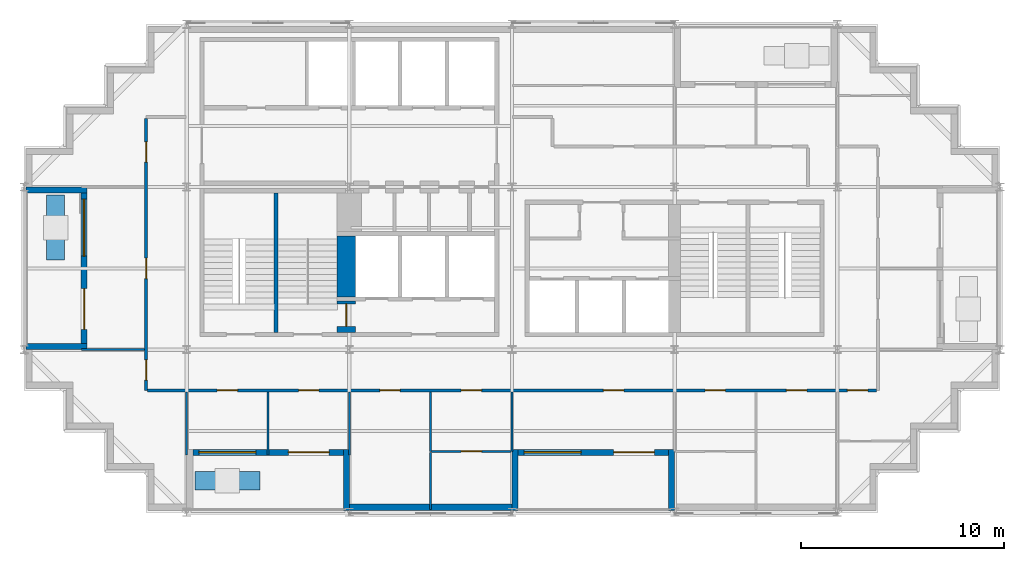
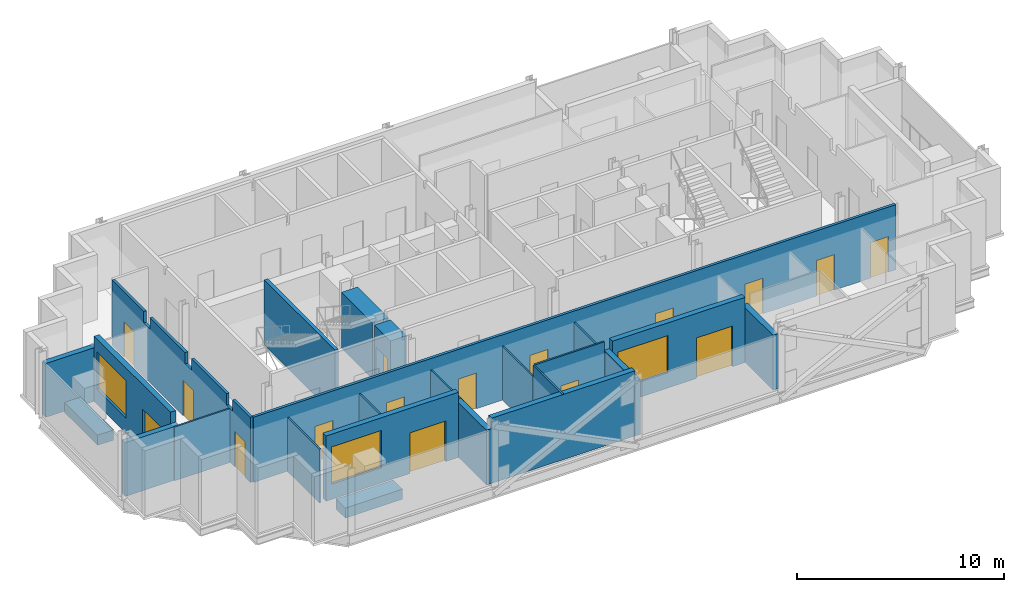
# One storey, part 4 of 10: 24 walls, 16 doors, 3 windows, 19 openings.
"""IFC4 building model written with IfcOpenShell, lengths in metres."""

from ifc_helpers import new_model, si_unit, direction, frame, frame_2d, origin, place, context, subcontext, project, spatial, polyline, rectangle, outline, extrude, material, layer, layer_set, type_object, element, fill, save


model = new_model("IFC4")

# Units and contexts
model_context = context("Model", 3, precision=1e-05, world=origin(), true_north=direction((0.0, 1.0)))
body_context = subcontext(model_context, "Body", "Model", "MODEL_VIEW")
ifc_project = project(units=[si_unit("LENGTHUNIT", "METRE"), si_unit("AREAUNIT", "SQUARE_METRE"), si_unit("VOLUMEUNIT", "CUBIC_METRE"), si_unit("PLANEANGLEUNIT", "RADIAN"), si_unit("MASSUNIT", "GRAM", prefix="KILO")], contexts=[model_context])

# Site, building, storey
site_placement = place(None, origin())
site = spatial("IfcSite", under=ifc_project, at=site_placement, CompositionType="ELEMENT")
building_placement = place(site_placement, origin())
building = spatial("IfcBuilding", under=site, at=building_placement, Name="Immortelle Media Tower", CompositionType="ELEMENT")
storey_placement = place(building_placement, frame((0.0, 0.0, 229.0)))
storey = spatial("IfcBuildingStorey", under=building, at=storey_placement, Name="L49", CompositionType="ELEMENT", Elevation=229.0)

# Wall, openings, doors
ifc_material_1 = material(Name="Fire-rated gypsum board", Category="gypsum")
ifc_layer_1 = layer(ifc_material_1, 0.012451171875)
ifc_material_2 = material(Name="Steel ASTM A653 SS Gr 50 stud frame with mineral wool", Category="steel")
ifc_layer_2 = layer(ifc_material_2, 0.125)
ifc_layer_3 = layer(ifc_material_1, 0.012451171875)
ifc_layer_set_1 = layer_set([ifc_layer_1, ifc_layer_2, ifc_layer_3], Name="Steel ASTM A653 SS Gr 50 stud frame with mineral wool")
wall_type_1 = type_object("IfcWallType", Name="Corridor wall 150", PredefinedType="PARTITIONING", material=ifc_layer_set_1)
wall_1_placement = place(storey_placement, frame((6.074951171875, 6.0, 0.0), z_axis=(0.0, 0.0, 1.0), x_axis=(1.0, 0.0, 0.0)))
wall_1 = element("IfcWall", 1, at=wall_1_placement, inside=storey, type_object=wall_type_1, Name="Partition L49-015", PredefinedType="PARTITIONING", context=body_context, shape_type="SweptSolid", body=[
    extrude(rectangle(XDim=35.85009765625, YDim=0.14990234375, at=frame_2d((17.925048828125, 0.0))), origin(), (0.0, 0.0, 1.0), 3.85009765625),
])
opening_1_placement = place(wall_1_placement, frame((12.425048828125, 0.0, 0.0), z_axis=(0.0, 0.0, 1.0), x_axis=(-1.0, 0.0, 0.0)))
opening_1 = element("IfcOpeningElement", 2, at=opening_1_placement, cuts=wall_1, Name="Opening O5-F001", PredefinedType="OPENING", context=body_context, shape_type="SweptSolid", body=[
    extrude(rectangle(XDim=1.0, YDim=2.10009765625, at=frame_2d((0.5, 1.050048828125))), frame((0.0, 0.0849609375, 0.0), z_axis=(0.0, -1.0, 0.0), x_axis=(1.0, 0.0, 0.0)), (0.0, 0.0, 1.0), 0.169921875),
])
opening_2_placement = place(wall_1_placement, frame((16.425048828125, 0.0, 0.0), z_axis=(0.0, 0.0, 1.0), x_axis=(-1.0, 0.0, 0.0)))
opening_2 = element("IfcOpeningElement", 3, at=opening_2_placement, cuts=wall_1, Name="Opening O5-F002", PredefinedType="OPENING", context=body_context, shape_type="SweptSolid", body=[
    extrude(rectangle(XDim=1.0, YDim=2.10009765625, at=frame_2d((0.5, 1.050048828125))), frame((0.0, 0.0849609375, 0.0), z_axis=(0.0, -1.0, 0.0), x_axis=(1.0, 0.0, 0.0)), (0.0, 0.0, 1.0), 0.169921875),
])
opening_3_placement = place(wall_1_placement, frame((28.425048828125, 0.0, 0.0), z_axis=(0.0, 0.0, 1.0), x_axis=(-1.0, 0.0, 0.0)))
opening_3 = element("IfcOpeningElement", 4, at=opening_3_placement, cuts=wall_1, Name="Opening O5-F004", PredefinedType="OPENING", context=body_context, shape_type="SweptSolid", body=[
    extrude(rectangle(XDim=1.0, YDim=2.10009765625, at=frame_2d((0.5, 1.050048828125))), frame((0.0, 0.0849609375, 0.0), z_axis=(0.0, -1.0, 0.0), x_axis=(1.0, 0.0, 0.0)), (0.0, 0.0, 1.0), 0.169921875),
])
opening_4_placement = place(wall_1_placement, frame((32.425048828125, 0.0, 0.0), z_axis=(0.0, 0.0, 1.0), x_axis=(-1.0, 0.0, 0.0)))
opening_4 = element("IfcOpeningElement", 5, at=opening_4_placement, cuts=wall_1, Name="Opening O5-F006", PredefinedType="OPENING", context=body_context, shape_type="SweptSolid", body=[
    extrude(rectangle(XDim=1.0, YDim=2.10009765625, at=frame_2d((0.5, 1.050048828125))), frame((0.0, 0.0849609375, 0.0), z_axis=(0.0, -1.0, 0.0), x_axis=(1.0, 0.0, 0.0)), (0.0, 0.0, 1.0), 0.169921875),
])
opening_5_placement = place(wall_1_placement, frame((4.425048828125, 0.0, 0.0), z_axis=(0.0, 0.0, 1.0), x_axis=(-1.0, 0.0, 0.0)))
opening_5 = element("IfcOpeningElement", 6, at=opening_5_placement, cuts=wall_1, Name="Opening O5-F007", PredefinedType="OPENING", context=body_context, shape_type="SweptSolid", body=[
    extrude(rectangle(XDim=1.0, YDim=2.10009765625, at=frame_2d((0.5, 1.050048828125))), frame((0.0, 0.0849609375, 0.0), z_axis=(0.0, -1.0, 0.0), x_axis=(1.0, 0.0, 0.0)), (0.0, 0.0, 1.0), 0.169921875),
])
opening_6_placement = place(wall_1_placement, frame((8.425048828125, 0.0, 0.0), z_axis=(0.0, 0.0, 1.0), x_axis=(-1.0, 0.0, 0.0)))
opening_6 = element("IfcOpeningElement", 7, at=opening_6_placement, cuts=wall_1, Name="Opening O5-F008", PredefinedType="OPENING", context=body_context, shape_type="SweptSolid", body=[
    extrude(rectangle(XDim=1.0, YDim=2.10009765625, at=frame_2d((0.5, 1.050048828125))), frame((0.0, 0.0849609375, 0.0), z_axis=(0.0, -1.0, 0.0), x_axis=(1.0, 0.0, 0.0)), (0.0, 0.0, 1.0), 0.169921875),
])
opening_7_placement = place(wall_1_placement, frame((23.425048828125, 0.0, 0.0), z_axis=(0.0, 0.0, 1.0), x_axis=(-1.0, 0.0, 0.0)))
opening_7 = element("IfcOpeningElement", 8, at=opening_7_placement, cuts=wall_1, Name="Opening O5-F009", PredefinedType="OPENING", context=body_context, shape_type="SweptSolid", body=[
    extrude(rectangle(XDim=1.0, YDim=2.10009765625, at=frame_2d((0.5, 1.050048828125))), frame((0.0, 0.0849609375, 0.0), z_axis=(0.0, -1.0, 0.0), x_axis=(1.0, 0.0, 0.0)), (0.0, 0.0, 1.0), 0.169921875),
])
opening_8_placement = place(wall_1_placement, frame((35.425048828125, 0.0, 0.0), z_axis=(0.0, 0.0, 1.0), x_axis=(-1.0, 0.0, 0.0)))
opening_8 = element("IfcOpeningElement", 9, at=opening_8_placement, cuts=wall_1, Name="Opening O5-F011", PredefinedType="OPENING", context=body_context, shape_type="SweptSolid", body=[
    extrude(rectangle(XDim=1.0, YDim=2.10009765625, at=frame_2d((0.5, 1.050048828125))), frame((0.0, 0.0849609375, 0.0), z_axis=(0.0, -1.0, 0.0), x_axis=(1.0, 0.0, 0.0)), (0.0, 0.0, 1.0), 0.169921875),
])
ifc_material_3 = material(Name="Timber veneered door leaf, galvanised steel frame ASTM A653", Category="steel")
door_type_1 = type_object("IfcDoorType", Name="Room door 1000 x 2100", OperationType="NOTDEFINED", PredefinedType="DOOR", material=ifc_material_3)
door_1_placement = place(opening_1_placement, origin())
door_1 = element("IfcDoor", 10, at=door_1_placement, inside=storey, type_object=door_type_1, Name="Door O5-F001", OperationType="SINGLE_SWING_RIGHT", OverallHeight=2.10009765625, OverallWidth=1.0, PredefinedType="DOOR", context=body_context, shape_type="SweptSolid", body=[
    extrude(rectangle(XDim=1.0, YDim=2.10009765625, at=frame_2d((0.5, 1.050048828125))), frame((0.0, 0.02490234375, 0.0), z_axis=(0.0, -1.0, 0.0), x_axis=(1.0, 0.0, 0.0)), (0.0, 0.0, 1.0), 0.050048828125),
])
fill(opening_1, door_1)
door_2_placement = place(opening_2_placement, origin())
door_2 = element("IfcDoor", 11, at=door_2_placement, inside=storey, type_object=door_type_1, Name="Door O5-F002", OperationType="SINGLE_SWING_RIGHT", OverallHeight=2.10009765625, OverallWidth=1.0, PredefinedType="DOOR", context=body_context, shape_type="SweptSolid", body=[
    extrude(rectangle(XDim=1.0, YDim=2.10009765625, at=frame_2d((0.5, 1.050048828125))), frame((0.0, 0.02490234375, 0.0), z_axis=(0.0, -1.0, 0.0), x_axis=(1.0, 0.0, 0.0)), (0.0, 0.0, 1.0), 0.050048828125),
])
fill(opening_2, door_2)
door_3_placement = place(opening_3_placement, origin())
door_3 = element("IfcDoor", 12, at=door_3_placement, inside=storey, type_object=door_type_1, Name="Door O5-F004", OperationType="SINGLE_SWING_RIGHT", OverallHeight=2.10009765625, OverallWidth=1.0, PredefinedType="DOOR", context=body_context, shape_type="SweptSolid", body=[
    extrude(rectangle(XDim=1.0, YDim=2.10009765625, at=frame_2d((0.5, 1.050048828125))), frame((0.0, 0.02490234375, 0.0), z_axis=(0.0, -1.0, 0.0), x_axis=(1.0, 0.0, 0.0)), (0.0, 0.0, 1.0), 0.050048828125),
])
fill(opening_3, door_3)
door_4_placement = place(opening_4_placement, origin())
door_4 = element("IfcDoor", 13, at=door_4_placement, inside=storey, type_object=door_type_1, Name="Door O5-F006", OperationType="SINGLE_SWING_LEFT", OverallHeight=2.10009765625, OverallWidth=1.0, PredefinedType="DOOR", context=body_context, shape_type="SweptSolid", body=[
    extrude(rectangle(XDim=1.0, YDim=2.10009765625, at=frame_2d((0.5, 1.050048828125))), frame((0.0, 0.02490234375, 0.0), z_axis=(0.0, -1.0, 0.0), x_axis=(1.0, 0.0, 0.0)), (0.0, 0.0, 1.0), 0.050048828125),
])
fill(opening_4, door_4)
door_5_placement = place(opening_5_placement, origin())
door_5 = element("IfcDoor", 14, at=door_5_placement, inside=storey, type_object=door_type_1, Name="Door O5-F007", OperationType="SINGLE_SWING_RIGHT", OverallHeight=2.10009765625, OverallWidth=1.0, PredefinedType="DOOR", context=body_context, shape_type="SweptSolid", body=[
    extrude(rectangle(XDim=1.0, YDim=2.10009765625, at=frame_2d((0.5, 1.050048828125))), frame((0.0, 0.02490234375, 0.0), z_axis=(0.0, -1.0, 0.0), x_axis=(1.0, 0.0, 0.0)), (0.0, 0.0, 1.0), 0.050048828125),
])
fill(opening_5, door_5)
door_6_placement = place(opening_6_placement, origin())
door_6 = element("IfcDoor", 15, at=door_6_placement, inside=storey, type_object=door_type_1, Name="Door O5-F008", OperationType="SINGLE_SWING_LEFT", OverallHeight=2.10009765625, OverallWidth=1.0, PredefinedType="DOOR", context=body_context, shape_type="SweptSolid", body=[
    extrude(rectangle(XDim=1.0, YDim=2.10009765625, at=frame_2d((0.5, 1.050048828125))), frame((0.0, 0.02490234375, 0.0), z_axis=(0.0, -1.0, 0.0), x_axis=(1.0, 0.0, 0.0)), (0.0, 0.0, 1.0), 0.050048828125),
])
fill(opening_6, door_6)
door_7_placement = place(opening_7_placement, origin())
door_7 = element("IfcDoor", 16, at=door_7_placement, inside=storey, type_object=door_type_1, Name="Door O5-F009", OperationType="SINGLE_SWING_LEFT", OverallHeight=2.10009765625, OverallWidth=1.0, PredefinedType="DOOR", context=body_context, shape_type="SweptSolid", body=[
    extrude(rectangle(XDim=1.0, YDim=2.10009765625, at=frame_2d((0.5, 1.050048828125))), frame((0.0, 0.02490234375, 0.0), z_axis=(0.0, -1.0, 0.0), x_axis=(1.0, 0.0, 0.0)), (0.0, 0.0, 1.0), 0.050048828125),
])
fill(opening_7, door_7)
door_8_placement = place(opening_8_placement, origin())
door_8 = element("IfcDoor", 17, at=door_8_placement, inside=storey, type_object=door_type_1, Name="Door O5-F011", OperationType="SINGLE_SWING_RIGHT", OverallHeight=2.10009765625, OverallWidth=1.0, PredefinedType="DOOR", context=body_context, shape_type="SweptSolid", body=[
    extrude(rectangle(XDim=1.0, YDim=2.10009765625, at=frame_2d((0.5, 1.050048828125))), frame((0.0, 0.02490234375, 0.0), z_axis=(0.0, -1.0, 0.0), x_axis=(1.0, 0.0, 0.0)), (0.0, 0.0, 1.0), 0.050048828125),
])
fill(opening_8, door_8)

wall_2_placement = place(storey_placement, frame((6.0, 6.0, 0.0), z_axis=(0.0, 0.0, 1.0), x_axis=(0.0, 1.0, 0.0)))
wall_2 = element("IfcWall", 18, at=wall_2_placement, inside=storey, type_object=wall_type_1, Name="Partition L49-016", PredefinedType="PARTITIONING", context=body_context, shape_type="SweptSolid", body=[
    extrude(outline(polyline([(0.0, 0.0), (13.375, 0.0), (13.375, 3.85009765625), (10.300048828125, 3.85009765625), (10.298095703125, 3.172119140625), (9.701904296875, 3.172119140625), (9.699951171875, 3.85009765625), (6.300048828125, 3.85009765625), (6.298095703125, 3.172119140625), (5.701904296875, 3.172119140625), (5.699951171875, 3.85009765625), (2.300048828125, 3.85009765625), (2.298095703125, 3.172119140625), (1.701904296875, 3.172119140625), (1.699951171875, 3.85009765625), (0.0, 3.85009765625), (0.0, 0.0)])), frame((0.0, 0.074951171875, 0.0), z_axis=(0.0, -1.0, 0.0), x_axis=(1.0, 0.0, 0.0)), (0.0, 0.0, 1.0), 0.14990234375),
])
opening_9_placement = place(wall_2_placement, frame((0.5, 0.0, 0.0)))
opening_9 = element("IfcOpeningElement", 19, at=opening_9_placement, cuts=wall_2, Name="Opening O5-F010", PredefinedType="OPENING", context=body_context, shape_type="SweptSolid", body=[
    extrude(rectangle(XDim=1.0, YDim=2.10009765625, at=frame_2d((0.5, 1.050048828125))), frame((0.0, 0.0849609375, 0.0), z_axis=(0.0, -1.0, 0.0), x_axis=(1.0, 0.0, 0.0)), (0.0, 0.0, 1.0), 0.169921875),
])
opening_10_placement = place(wall_2_placement, frame((5.5, 0.0, 0.0)))
opening_10 = element("IfcOpeningElement", 20, at=opening_10_placement, cuts=wall_2, Name="Opening O5-F013", PredefinedType="OPENING", context=body_context, shape_type="SweptSolid", body=[
    extrude(rectangle(XDim=1.0, YDim=2.10009765625, at=frame_2d((0.5, 1.050048828125))), frame((0.0, 0.0849609375, 0.0), z_axis=(0.0, -1.0, 0.0), x_axis=(1.0, 0.0, 0.0)), (0.0, 0.0, 1.0), 0.169921875),
])
opening_11_placement = place(wall_2_placement, frame((11.22509765625, 0.0, 0.0)))
opening_11 = element("IfcOpeningElement", 21, at=opening_11_placement, cuts=wall_2, Name="Opening O5-F016", PredefinedType="OPENING", context=body_context, shape_type="SweptSolid", body=[
    extrude(rectangle(XDim=1.0, YDim=2.10009765625, at=frame_2d((0.5, 1.050048828125))), frame((0.0, 0.0849609375, 0.0), z_axis=(0.0, -1.0, 0.0), x_axis=(1.0, 0.0, 0.0)), (0.0, 0.0, 1.0), 0.169921875),
])
door_9_placement = place(opening_9_placement, origin())
door_9 = element("IfcDoor", 22, at=door_9_placement, inside=storey, type_object=door_type_1, Name="Door O5-F010", OperationType="SINGLE_SWING_RIGHT", OverallHeight=2.10009765625, OverallWidth=1.0, PredefinedType="DOOR", context=body_context, shape_type="SweptSolid", body=[
    extrude(rectangle(XDim=1.0, YDim=2.10009765625, at=frame_2d((0.5, 1.050048828125))), frame((0.0, 0.02490234375, 0.0), z_axis=(0.0, -1.0, 0.0), x_axis=(1.0, 0.0, 0.0)), (0.0, 0.0, 1.0), 0.050048828125),
])
fill(opening_9, door_9)
door_10_placement = place(opening_10_placement, origin())
door_10 = element("IfcDoor", 23, at=door_10_placement, inside=storey, type_object=door_type_1, Name="Door O5-F013", OperationType="SINGLE_SWING_LEFT", OverallHeight=2.10009765625, OverallWidth=1.0, PredefinedType="DOOR", context=body_context, shape_type="SweptSolid", body=[
    extrude(rectangle(XDim=1.0, YDim=2.10009765625, at=frame_2d((0.5, 1.050048828125))), frame((0.0, 0.02490234375, 0.0), z_axis=(0.0, -1.0, 0.0), x_axis=(1.0, 0.0, 0.0)), (0.0, 0.0, 1.0), 0.050048828125),
])
fill(opening_10, door_10)
door_11_placement = place(opening_11_placement, origin())
door_11 = element("IfcDoor", 24, at=door_11_placement, inside=storey, type_object=door_type_1, Name="Door O5-F016", OperationType="SINGLE_SWING_LEFT", OverallHeight=2.10009765625, OverallWidth=1.0, PredefinedType="DOOR", context=body_context, shape_type="SweptSolid", body=[
    extrude(rectangle(XDim=1.0, YDim=2.10009765625, at=frame_2d((0.5, 1.050048828125))), frame((0.0, 0.02490234375, 0.0), z_axis=(0.0, -1.0, 0.0), x_axis=(1.0, 0.0, 0.0)), (0.0, 0.0, 1.0), 0.050048828125),
])
fill(opening_11, door_11)

# Wall, openings, door, window
ifc_material_4 = material(Name="Pale aluminium cladding panel", Category="aluminium")
ifc_layer_4 = layer(ifc_material_4, 0.030029296875)
ifc_layer_5 = layer(ifc_material_2, 0.257568359375)
ifc_material_5 = material(Name="Moisture-resistant gypsum board", Category="gypsum")
ifc_layer_6 = layer(ifc_material_5, 0.012451171875)
ifc_layer_set_2 = layer_set([ifc_layer_4, ifc_layer_5, ifc_layer_6], Name="Steel ASTM A653 SS Gr 50 stud frame with mineral wool")
wall_type_2 = type_object("IfcWallType", Name="Facade wall 300", PredefinedType="SOLIDWALL", material=ifc_layer_set_2)
wall_3_placement = place(storey_placement, frame((8.300048828125, 2.949951171875, 0.0), z_axis=(0.0, 0.0, 1.0), x_axis=(1.0, 0.0, 0.0)))
wall_3 = element("IfcWall", 25, at=wall_3_placement, inside=storey, type_object=wall_type_2, Name="Loggia wall L49 S6", PredefinedType="SOLIDWALL", context=body_context, shape_type="SweptSolid", body=[
    extrude(rectangle(XDim=7.39990234375, YDim=0.300048828125, at=frame_2d((3.699951171875, 0.0))), origin(), (0.0, 0.0, 1.0), 3.85009765625),
])
opening_12_placement = place(wall_3_placement, frame((0.300048828125, 0.0, 0.89990234375)))
opening_12 = element("IfcOpeningElement", 26, at=opening_12_placement, cuts=wall_3, Name="Opening W1", PredefinedType="OPENING", context=body_context, shape_type="SweptSolid", body=[
    extrude(rectangle(XDim=2.800048828125, YDim=2.199951171875, at=frame_2d((1.39990234375, 1.10009765625))), frame((0.0, 0.159912109375, 0.0), z_axis=(0.0, -1.0, 0.0), x_axis=(1.0, 0.0, 0.0)), (0.0, 0.0, 1.0), 0.320068359375),
])
opening_13_placement = place(wall_3_placement, frame((4.699951171875, 0.0, 0.0)))
opening_13 = element("IfcOpeningElement", 27, at=opening_13_placement, cuts=wall_3, Name="Opening O5-E001", PredefinedType="OPENING", context=body_context, shape_type="SweptSolid", body=[
    extrude(rectangle(XDim=2.0, YDim=2.39990234375, at=frame_2d((1.0, 1.199951171875))), frame((0.0, 0.159912109375, 0.0), z_axis=(0.0, -1.0, 0.0), x_axis=(1.0, 0.0, 0.0)), (0.0, 0.0, 1.0), 0.320068359375),
])
ifc_material_6 = material(Name="Aluminium frame, glazed leaves", Category="aluminium")
door_type_2 = type_object("IfcDoorType", Name="Loggia door 2000 x 2400", OperationType="DOUBLE_DOOR_SINGLE_SWING", PredefinedType="DOOR", material=ifc_material_6)
door_12_placement = place(opening_13_placement, origin())
door_12 = element("IfcDoor", 28, at=door_12_placement, inside=storey, type_object=door_type_2, Name="Door O5-E001", OperationType="DOUBLE_DOOR_SINGLE_SWING", OverallHeight=2.39990234375, OverallWidth=2.0, PredefinedType="DOOR", context=body_context, shape_type="SweptSolid", body=[
    extrude(rectangle(XDim=2.0, YDim=2.39990234375, at=frame_2d((1.0, 1.199951171875))), frame((0.0, 0.02490234375, 0.0), z_axis=(0.0, -1.0, 0.0), x_axis=(1.0, 0.0, 0.0)), (0.0, 0.0, 1.0), 0.050048828125),
])
fill(opening_13, door_12)
ifc_material_7 = material(Name="Aluminium frame", Category="aluminium")
window_type = type_object("IfcWindowType", Name="Window 2800 x 2200", PartitioningType="SINGLE_PANEL", PredefinedType="WINDOW", material=ifc_material_7)
window_1_placement = place(opening_12_placement, origin())
window_1 = element("IfcWindow", 29, at=window_1_placement, inside=storey, type_object=window_type, Name="Window L49 L49-R6-B0", OverallHeight=2.199951171875, OverallWidth=2.800048828125, PartitioningType="SINGLE_PANEL", PredefinedType="WINDOW", context=body_context, shape_type="SweptSolid", body=[
    extrude(rectangle(XDim=2.800048828125, YDim=2.199951171875, at=frame_2d((1.39990234375, 1.10009765625))), frame((0.0, 0.030029296875, 0.0), z_axis=(0.0, -1.0, 0.0), x_axis=(1.0, 0.0, 0.0)), (0.0, 0.0, 1.0), 0.06005859375),
])
fill(opening_12, window_1)

# Walls
wall_4_placement = place(storey_placement, frame((15.85009765625, 0.10009765625, 0.0), z_axis=(0.0, 0.0, 1.0), x_axis=(0.0, 1.0, 0.0)))
element("IfcWall", 30, at=wall_4_placement, inside=storey, type_object=wall_type_2, Name="Loggia cheek wall L49 S", PredefinedType="SOLIDWALL", context=body_context, shape_type="SweptSolid", body=[
    extrude(rectangle(XDim=3.0, YDim=0.300048828125, at=frame_2d((1.5, 0.0))), origin(), (0.0, 0.0, 1.0), 3.237060546875),
])
wall_5_placement = place(storey_placement, frame((16.0, 0.25, 0.0), z_axis=(0.0, 0.0, 1.0), x_axis=(1.0, 0.0, 0.0)))
element("IfcWall", 31, at=wall_5_placement, inside=storey, type_object=wall_type_2, Name="Facade wall L49 S6", PredefinedType="SOLIDWALL", context=body_context, shape_type="SweptSolid", body=[
    extrude(rectangle(XDim=8.0, YDim=0.300048828125, at=frame_2d((4.0, 0.0))), origin(), (0.0, 0.0, 1.0), 3.85009765625),
])

# Wall, openings, door, window
wall_6_placement = place(storey_placement, frame((24.300048828125, 2.949951171875, 0.0), z_axis=(0.0, 0.0, 1.0), x_axis=(1.0, 0.0, 0.0)))
wall_6 = element("IfcWall", 32, at=wall_6_placement, inside=storey, type_object=wall_type_2, Name="Loggia wall L49 S6", PredefinedType="SOLIDWALL", context=body_context, shape_type="SweptSolid", body=[
    extrude(rectangle(XDim=7.39990234375, YDim=0.300048828125, at=frame_2d((3.699951171875, 0.0))), origin(), (0.0, 0.0, 1.0), 3.85009765625),
])
opening_14_placement = place(wall_6_placement, frame((0.300048828125, 0.0, 0.89990234375)))
opening_14 = element("IfcOpeningElement", 33, at=opening_14_placement, cuts=wall_6, Name="Opening W1", PredefinedType="OPENING", context=body_context, shape_type="SweptSolid", body=[
    extrude(rectangle(XDim=2.800048828125, YDim=2.199951171875, at=frame_2d((1.39990234375, 1.10009765625))), frame((0.0, 0.159912109375, 0.0), z_axis=(0.0, -1.0, 0.0), x_axis=(1.0, 0.0, 0.0)), (0.0, 0.0, 1.0), 0.320068359375),
])
opening_15_placement = place(wall_6_placement, frame((4.699951171875, 0.0, 0.0)))
opening_15 = element("IfcOpeningElement", 34, at=opening_15_placement, cuts=wall_6, Name="Opening O5-E002", PredefinedType="OPENING", context=body_context, shape_type="SweptSolid", body=[
    extrude(rectangle(XDim=2.0, YDim=2.39990234375, at=frame_2d((1.0, 1.199951171875))), frame((0.0, 0.159912109375, 0.0), z_axis=(0.0, -1.0, 0.0), x_axis=(1.0, 0.0, 0.0)), (0.0, 0.0, 1.0), 0.320068359375),
])
door_13_placement = place(opening_15_placement, origin())
door_13 = element("IfcDoor", 35, at=door_13_placement, inside=storey, type_object=door_type_2, Name="Door O5-E002", OperationType="DOUBLE_DOOR_SINGLE_SWING", OverallHeight=2.39990234375, OverallWidth=2.0, PredefinedType="DOOR", context=body_context, shape_type="SweptSolid", body=[
    extrude(rectangle(XDim=2.0, YDim=2.39990234375, at=frame_2d((1.0, 1.199951171875))), frame((0.0, 0.02490234375, 0.0), z_axis=(0.0, -1.0, 0.0), x_axis=(1.0, 0.0, 0.0)), (0.0, 0.0, 1.0), 0.050048828125),
])
fill(opening_15, door_13)
window_2_placement = place(opening_14_placement, origin())
window_2 = element("IfcWindow", 36, at=window_2_placement, inside=storey, type_object=window_type, Name="Window L49 L49-R6-B2", OverallHeight=2.199951171875, OverallWidth=2.800048828125, PartitioningType="SINGLE_PANEL", PredefinedType="WINDOW", context=body_context, shape_type="SweptSolid", body=[
    extrude(rectangle(XDim=2.800048828125, YDim=2.199951171875, at=frame_2d((1.39990234375, 1.10009765625))), frame((0.0, 0.030029296875, 0.0), z_axis=(0.0, -1.0, 0.0), x_axis=(1.0, 0.0, 0.0)), (0.0, 0.0, 1.0), 0.06005859375),
])
fill(opening_14, window_2)

# Walls
for number, where, z_axis, x_axis, name in (
    (37, (24.14990234375, 0.10009765625, 0.0), (0.0, 0.0, 1.0), (0.0, 1.0, 0.0), "Loggia cheek wall L49 S"),
    (38, (31.85009765625, 0.10009765625, 0.0), (0.0, 0.0, 1.0), (0.0, 1.0, 0.0), "Loggia cheek wall L49 S"),
):
    element("IfcWall", number, at=place(storey_placement, frame(where, z_axis=z_axis, x_axis=x_axis)), inside=storey, type_object=wall_type_2, Name=name, PredefinedType="SOLIDWALL", context=body_context, shape_type="SweptSolid", body=[
        extrude(rectangle(XDim=3.0, YDim=0.300048828125, at=frame_2d((1.5, 0.0))), origin(), (0.0, 0.0, 1.0), 3.237060546875),
    ])

# Wall, openings, door, window
wall_7_placement = place(storey_placement, frame((2.949951171875, 15.699951171875, 0.0), z_axis=(0.0, 0.0, 1.0), x_axis=(0.0, -1.0, 0.0)))
wall_7 = element("IfcWall", 39, at=wall_7_placement, inside=storey, type_object=wall_type_2, Name="Loggia wall L49 W27", PredefinedType="SOLIDWALL", context=body_context, shape_type="SweptSolid", body=[
    extrude(rectangle(XDim=7.39990234375, YDim=0.300048828125, at=frame_2d((3.699951171875, 0.0))), origin(), (0.0, 0.0, 1.0), 3.85009765625),
])
opening_16_placement = place(wall_7_placement, frame((0.300048828125, 0.0, 0.89990234375)))
opening_16 = element("IfcOpeningElement", 40, at=opening_16_placement, cuts=wall_7, Name="Opening W1", PredefinedType="OPENING", context=body_context, shape_type="SweptSolid", body=[
    extrude(rectangle(XDim=2.800048828125, YDim=2.199951171875, at=frame_2d((1.39990234375, 1.10009765625))), frame((0.0, 0.159912109375, 0.0), z_axis=(0.0, -1.0, 0.0), x_axis=(1.0, 0.0, 0.0)), (0.0, 0.0, 1.0), 0.320068359375),
])
opening_17_placement = place(wall_7_placement, frame((4.699951171875, 0.0, 0.0)))
opening_17 = element("IfcOpeningElement", 41, at=opening_17_placement, cuts=wall_7, Name="Opening O5-E006", PredefinedType="OPENING", context=body_context, shape_type="SweptSolid", body=[
    extrude(rectangle(XDim=2.0, YDim=2.39990234375, at=frame_2d((1.0, 1.199951171875))), frame((0.0, 0.159912109375, 0.0), z_axis=(0.0, -1.0, 0.0), x_axis=(1.0, 0.0, 0.0)), (0.0, 0.0, 1.0), 0.320068359375),
])
door_14_placement = place(opening_17_placement, origin())
door_14 = element("IfcDoor", 42, at=door_14_placement, inside=storey, type_object=door_type_2, Name="Door O5-E006", OperationType="DOUBLE_DOOR_SINGLE_SWING", OverallHeight=2.39990234375, OverallWidth=2.0, PredefinedType="DOOR", context=body_context, shape_type="SweptSolid", body=[
    extrude(rectangle(XDim=2.0, YDim=2.39990234375, at=frame_2d((1.0, 1.199951171875))), frame((0.0, 0.02490234375, 0.0), z_axis=(0.0, -1.0, 0.0), x_axis=(1.0, 0.0, 0.0)), (0.0, 0.0, 1.0), 0.050048828125),
])
fill(opening_17, door_14)
window_3_placement = place(opening_16_placement, origin())
window_3 = element("IfcWindow", 43, at=window_3_placement, inside=storey, type_object=window_type, Name="Window L49 L49-R27-B0", OverallHeight=2.199951171875, OverallWidth=2.800048828125, PartitioningType="SINGLE_PANEL", PredefinedType="WINDOW", context=body_context, shape_type="SweptSolid", body=[
    extrude(rectangle(XDim=2.800048828125, YDim=2.199951171875, at=frame_2d((1.39990234375, 1.10009765625))), frame((0.0, 0.030029296875, 0.0), z_axis=(0.0, -1.0, 0.0), x_axis=(1.0, 0.0, 0.0)), (0.0, 0.0, 1.0), 0.06005859375),
])
fill(opening_16, window_3)

# Walls
for number, where, z_axis, x_axis, name in (
    (44, (0.10009765625, 15.85009765625, 0.0), (0.0, 0.0, 1.0), (1.0, 0.0, 0.0), "Loggia cheek wall L49 W"),
    (45, (0.10009765625, 8.14990234375, 0.0), (0.0, 0.0, 1.0), (1.0, 0.0, 0.0), "Loggia cheek wall L49 W"),
):
    element("IfcWall", number, at=place(storey_placement, frame(where, z_axis=z_axis, x_axis=x_axis)), inside=storey, type_object=wall_type_2, Name=name, PredefinedType="SOLIDWALL", context=body_context, shape_type="SweptSolid", body=[
        extrude(rectangle(XDim=3.0, YDim=0.300048828125, at=frame_2d((1.5, 0.0))), origin(), (0.0, 0.0, 1.0), 3.1708984375),
    ])
ifc_material_8 = material(Name="Gypsum board", Category="gypsum")
ifc_layer_7 = layer(ifc_material_8, 0.012451171875)
ifc_layer_8 = layer(ifc_material_2, 0.074951171875)
ifc_layer_9 = layer(ifc_material_8, 0.012451171875)
ifc_layer_set_3 = layer_set([ifc_layer_7, ifc_layer_8, ifc_layer_9], Name="Steel ASTM A653 SS Gr 50 stud frame with mineral wool")
wall_type_3 = type_object("IfcWallType", Name="Partition 100", PredefinedType="PARTITIONING", material=ifc_layer_set_3)
wall_8_placement = place(storey_placement, frame((20.0, 0.1298828125, 0.0), z_axis=(0.0, 0.0, 1.0), x_axis=(0.0, 1.0, 0.0)))
element("IfcWall", 46, at=wall_8_placement, inside=storey, type_object=wall_type_3, Name="Partition L49-001", PredefinedType="PARTITIONING", context=body_context, shape_type="SweptSolid", body=[
    extrude(rectangle(XDim=2.820068359375, YDim=0.10009765625, at=frame_2d((1.41015625, 0.0))), origin(), (0.0, 0.0, 1.0), 3.85009765625),
])
for number, where, z_axis, x_axis, name in (
    (47, (8.0, 2.830078125, 0.0), (0.0, 0.0, 1.0), (0.0, 1.0, 0.0), "Partition L49-004"),
    (48, (12.0, 2.830078125, 0.0), (0.0, 0.0, 1.0), (0.0, 1.0, 0.0), "Partition L49-005"),
    (49, (16.0, 2.830078125, 0.0), (0.0, 0.0, 1.0), (0.0, 1.0, 0.0), "Partition L49-006"),
):
    element("IfcWall", number, at=place(storey_placement, frame(where, z_axis=z_axis, x_axis=x_axis)), inside=storey, type_object=wall_type_3, Name=name, PredefinedType="PARTITIONING", context=body_context, shape_type="SweptSolid", body=[
        extrude(rectangle(XDim=3.094970703125, YDim=0.10009765625, at=frame_2d((1.54736328125, 0.0))), origin(), (0.0, 0.0, 1.0), 3.172119140625),
    ])

# Wall, opening, door
wall_9_placement = place(storey_placement, frame((20.050048828125, 3.0, 0.0), z_axis=(0.0, 0.0, 1.0), x_axis=(1.0, 0.0, 0.0)))
wall_9 = element("IfcWall", 50, at=wall_9_placement, inside=storey, type_object=wall_type_3, Name="Partition L49-007", PredefinedType="PARTITIONING", context=body_context, shape_type="SweptSolid", body=[
    extrude(rectangle(XDim=3.89990234375, YDim=0.10009765625, at=frame_2d((1.949951171875, 0.0))), origin(), (0.0, 0.0, 1.0), 3.85009765625),
])
opening_18_placement = place(wall_9_placement, frame((1.449951171875, 0.0, 0.0)))
opening_18 = element("IfcOpeningElement", 51, at=opening_18_placement, cuts=wall_9, Name="Opening O5-F003", PredefinedType="OPENING", context=body_context, shape_type="SweptSolid", body=[
    extrude(rectangle(XDim=1.0, YDim=2.10009765625, at=frame_2d((0.5, 1.050048828125))), frame((0.0, 0.06005859375, 0.0), z_axis=(0.0, -1.0, 0.0), x_axis=(1.0, 0.0, 0.0)), (0.0, 0.0, 1.0), 0.1201171875),
])
door_15_placement = place(opening_18_placement, origin())
door_15 = element("IfcDoor", 52, at=door_15_placement, inside=storey, type_object=door_type_1, Name="Door O5-F003", OperationType="SINGLE_SWING_LEFT", OverallHeight=2.10009765625, OverallWidth=1.0, PredefinedType="DOOR", context=body_context, shape_type="SweptSolid", body=[
    extrude(rectangle(XDim=1.0, YDim=2.10009765625, at=frame_2d((0.5, 1.050048828125))), frame((0.0, 0.02490234375, 0.0), z_axis=(0.0, -1.0, 0.0), x_axis=(1.0, 0.0, 0.0)), (0.0, 0.0, 1.0), 0.050048828125),
])
fill(opening_18, door_15)

# Walls
for number, where, z_axis, x_axis, name in (
    (53, (20.0, 3.0, 0.0), (0.0, 0.0, 1.0), (0.0, 1.0, 0.0), "Partition L49-008"),
    (54, (24.0, 3.0, 0.0), (0.0, 0.0, 1.0), (0.0, 1.0, 0.0), "Partition L49-009"),
):
    element("IfcWall", number, at=place(storey_placement, frame(where, z_axis=z_axis, x_axis=x_axis)), inside=storey, type_object=wall_type_3, Name=name, PredefinedType="PARTITIONING", context=body_context, shape_type="SweptSolid", body=[
        extrude(rectangle(XDim=2.925048828125, YDim=0.10009765625, at=frame_2d((1.46240234375, 0.0))), origin(), (0.0, 0.0, 1.0), 3.172119140625),
    ])
wall_10_placement = place(storey_placement, frame((2.830078125, 8.0, 0.0), z_axis=(0.0, 0.0, 1.0), x_axis=(1.0, 0.0, 0.0)))
element("IfcWall", 55, at=wall_10_placement, inside=storey, type_object=wall_type_3, Name="Partition L49-018", PredefinedType="PARTITIONING", context=body_context, shape_type="SweptSolid", body=[
    extrude(rectangle(XDim=3.094970703125, YDim=0.10009765625, at=frame_2d((1.54736328125, 0.0))), origin(), (0.0, 0.0, 1.0), 3.172119140625),
])
ifc_layer_10 = layer(ifc_material_4, 0.0029296875)
ifc_material_9 = material(Name="Steel ASTM A572 Gr 50 planter shell", Category="steel")
ifc_layer_11 = layer(ifc_material_9, 0.011962890625)
ifc_material_10 = material(Name="Planting substrate", Category="soil")
ifc_layer_12 = layer(ifc_material_10, 0.873046875)
ifc_layer_13 = layer(ifc_material_9, 0.011962890625)
ifc_layer_set_4 = layer_set([ifc_layer_10, ifc_layer_11, ifc_layer_12, ifc_layer_13], Name="Steel ASTM A572 Gr 50 planter shell")
wall_type_4 = type_object("IfcWallType", Name="Planter wall 900", PredefinedType="SOLIDWALL", material=ifc_layer_set_4)
for number, where, z_axis, x_axis, name in (
    (56, (8.39990234375, 1.550048828125, 0.0), (0.0, 0.0, 1.0), (1.0, 0.0, 0.0), "Planter L49 S0"),
    (57, (1.550048828125, 15.60009765625, 0.0), (0.0, 0.0, 1.0), (0.0, -1.0, 0.0), "Planter L49 W0"),
):
    element("IfcWall", number, at=place(storey_placement, frame(where, z_axis=z_axis, x_axis=x_axis)), inside=storey, type_object=wall_type_4, Name=name, PredefinedType="SOLIDWALL", context=body_context, shape_type="SweptSolid", body=[
        extrude(rectangle(XDim=3.2001953125, YDim=0.89990234375, at=frame_2d((1.60009765625, 0.0))), origin(), (0.0, 0.0, 1.0), 0.60009765625),
    ])
ifc_material_11 = material(Name="Concrete C60", Category="concrete")
ifc_layer_14 = layer(ifc_material_11, 0.199951171875)
ifc_layer_set_5 = layer_set([ifc_layer_14], Name="Concrete C60")
wall_type_5 = type_object("IfcWallType", Name="Stair shaft wall 200", PredefinedType="PARTITIONING", material=ifc_layer_set_5)
wall_11_placement = place(storey_placement, frame((12.39990234375, 8.85009765625, 0.0), z_axis=(0.0, 0.0, 1.0), x_axis=(0.0, 1.0, 0.0)))
element("IfcWall", 58, at=wall_11_placement, inside=storey, type_object=wall_type_5, Name="Stair shaft wall SW", PredefinedType="PARTITIONING", context=body_context, shape_type="SweptSolid", body=[
    extrude(rectangle(XDim=6.849853515625, YDim=0.199951171875, at=frame_2d((3.4248046875, 0.0))), origin(), (0.0, 0.0, 1.0), 3.85009765625),
])

# Wall, opening, door
ifc_layer_15 = layer(ifc_material_11, 0.89990234375)
ifc_layer_set_6 = layer_set([ifc_layer_15], Name="Concrete C60")
wall_type_6 = type_object("IfcWallType", Name="Stair shaft wall 900", PredefinedType="PARTITIONING", material=ifc_layer_set_6)
wall_12_placement = place(storey_placement, frame((15.85009765625, 8.85009765625, 0.0), z_axis=(0.0, 0.0, 1.0), x_axis=(0.0, 1.0, 0.0)))
wall_12 = element("IfcWall", 59, at=wall_12_placement, inside=storey, type_object=wall_type_6, Name="Stair shaft wall SW", PredefinedType="PARTITIONING", context=body_context, shape_type="SweptSolid", body=[
    extrude(rectangle(XDim=1.5498046875, YDim=0.89990234375, at=frame_2d((0.77490234375, 0.0))), origin(), (0.0, 0.0, 1.0), 3.30810546875),
])
opening_19_placement = place(wall_12_placement, frame((0.300048828125, 0.0, 0.0)))
opening_19 = element("IfcOpeningElement", 60, at=opening_19_placement, cuts=wall_12, Name="Opening O5-K006", PredefinedType="OPENING", context=body_context, shape_type="SweptSolid", body=[
    extrude(rectangle(XDim=1.10009765625, YDim=2.10009765625, at=frame_2d((0.550048828125, 1.050048828125))), frame((0.0, 0.4599609375, 0.0), z_axis=(0.0, -1.0, 0.0), x_axis=(1.0, 0.0, 0.0)), (0.0, 0.0, 1.0), 0.919921875),
])
ifc_material_12 = material(Name="Galvanised steel door leaf and frame ASTM A653", Category="steel")
door_type_3 = type_object("IfcDoorType", Name="Stair lobby door 1100 x 2100", OperationType="NOTDEFINED", PredefinedType="NOTDEFINED", material=ifc_material_12)
door_16_placement = place(opening_19_placement, origin())
door_16 = element("IfcDoor", 61, at=door_16_placement, inside=storey, type_object=door_type_3, Name="Stair lobby O5-K006", OperationType="SINGLE_SWING_LEFT", OverallHeight=2.10009765625, OverallWidth=1.10009765625, PredefinedType="NOTDEFINED", context=body_context, shape_type="SweptSolid", body=[
    extrude(rectangle(XDim=1.10009765625, YDim=2.10009765625, at=frame_2d((0.550048828125, 1.050048828125))), frame((0.0, 0.02490234375, 0.0), z_axis=(0.0, -1.0, 0.0), x_axis=(1.0, 0.0, 0.0)), (0.0, 0.0, 1.0), 0.050048828125),
])
fill(opening_19, door_16)

# Wall
wall_13_placement = place(storey_placement, frame((15.85009765625, 10.60009765625, 0.0), z_axis=(0.0, 0.0, 1.0), x_axis=(0.0, 1.0, 0.0)))
element("IfcWall", 62, at=wall_13_placement, inside=storey, type_object=wall_type_6, Name="Stair shaft wall SW", PredefinedType="PARTITIONING", context=body_context, shape_type="SweptSolid", body=[
    extrude(rectangle(XDim=3.0, YDim=0.89990234375, at=frame_2d((1.5, 0.0))), origin(), (0.0, 0.0, 1.0), 3.30810546875),
])

save(model, "model.ifc")
